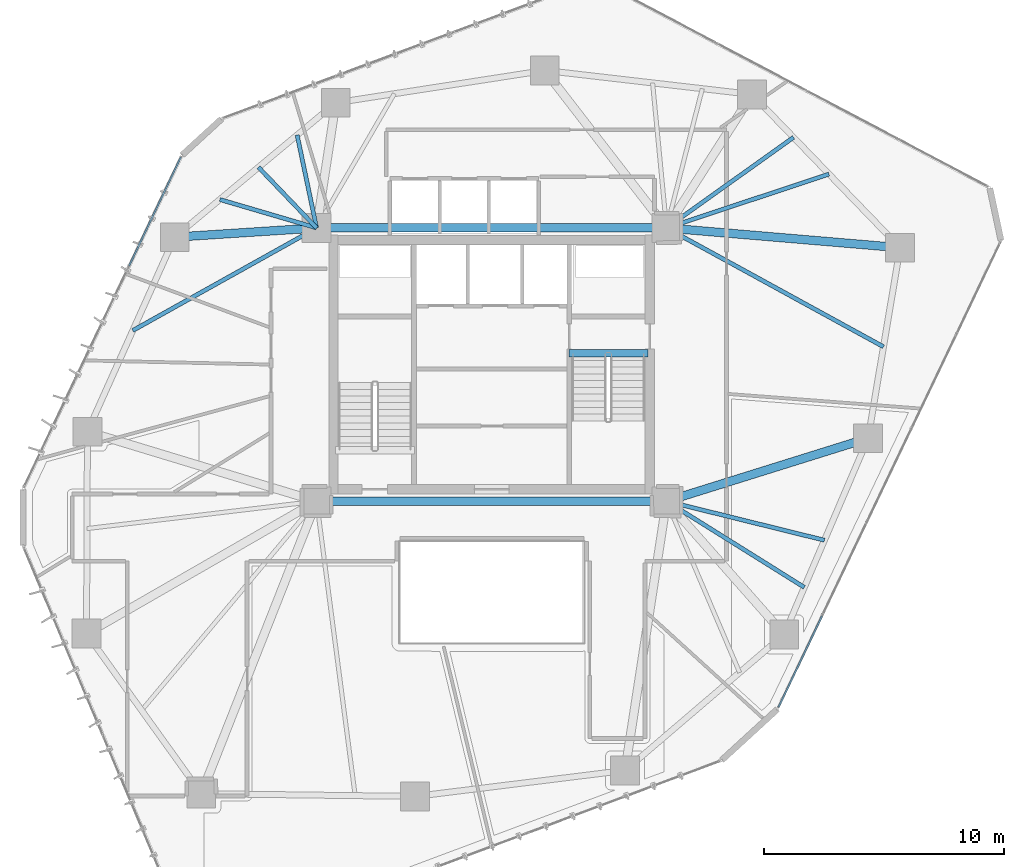
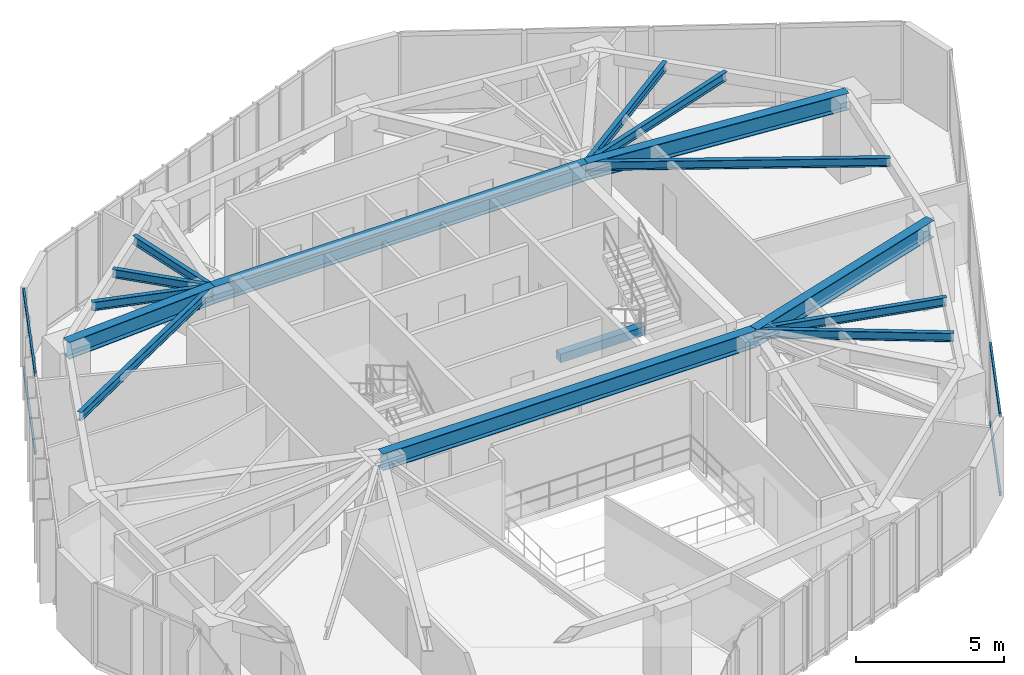
# One storey, part 9 of 22: 15 beams, 4 members, 2 elements without a shape of their own.
"""IFC4 building model written with IfcOpenShell, lengths in metres."""

import ifcopenshell
import ifcopenshell.guid

model = None  # the IFC model being written
_history = None  # IfcOwnerHistory: only IFC2X3 demands one
_inside = {}  # id of a spatial element -> (the spatial element, [elements in it])
_under = {}  # id of a project, library or spatial element -> (it, [spatial elements below it])
_declared = {}  # id of a project -> (the project, [libraries it declares])
_typed = {}  # id of a type object -> (the type object, [elements of that type])
_made_of = {}  # id of a material, layer set ... -> (it, [elements and type objects made of it])


def new_model(schema):
    """Start an empty IFC model of exactly this schema.

    Asked for "IFC4X3", IfcOpenShell would pick the latest addendum, in which some entities
    have other attributes; the version numbers below select the first issue.
    IFC2X3 requires an IfcOwnerHistory on every rooted entity: one is made here for all.
    """
    global model, _history
    if schema == "IFC4X3":
        model = ifcopenshell.file(schema_version=(4, 3, 0, 0))
    else:
        model = ifcopenshell.file(schema=schema)
    _inside.clear()
    _under.clear()
    _declared.clear()
    _typed.clear()
    _made_of.clear()
    _history = None
    if model.schema == "IFC2X3":
        org = make("IfcOrganization", Name="unknown")
        user = make(
            "IfcPersonAndOrganization",
            ThePerson=make("IfcPerson", FamilyName="unknown"),
            TheOrganization=org,
        )
        app = make(
            "IfcApplication",
            ApplicationDeveloper=org,
            Version="unknown",
            ApplicationFullName="unknown",
            ApplicationIdentifier="unknown",
        )
        _history = make(
            "IfcOwnerHistory",
            OwningUser=user,
            OwningApplication=app,
            ChangeAction="ADDED",
            CreationDate=0,
        )
    return model


def make(cls, **values):
    """One entity of the class cls with the attributes given. An attribute that is None is left unset."""
    return model.create_entity(
        cls, **{name: value for name, value in values.items() if value is not None}
    )


def rooted(cls, **values):
    """An entity with a GlobalId (a new one), such as an element, a storey or a relation."""
    return make(cls, GlobalId=ifcopenshell.guid.new(), OwnerHistory=_history, **values)


def si_unit(unit_type, name, prefix=None):
    """IfcSIUnit, for example si_unit("LENGTHUNIT", "METRE", prefix="MILLI")."""
    return make("IfcSIUnit", UnitType=unit_type, Prefix=prefix, Name=name)


def assignment(units):
    """IfcUnitAssignment: the units of a project."""
    return None if units is None else make("IfcUnitAssignment", Units=units)


def point(xyz):
    """IfcCartesianPoint."""
    return None if xyz is None else make("IfcCartesianPoint", Coordinates=xyz)


def direction(xyz):
    """IfcDirection."""
    return None if xyz is None else make("IfcDirection", DirectionRatios=xyz)


def frame(location, z_axis=None, x_axis=None):
    """IfcAxis2Placement3D, a coordinate frame: its origin and axes. An axis left out is left unset."""
    return make(
        "IfcAxis2Placement3D",
        Location=point(location),
        Axis=direction(z_axis),
        RefDirection=direction(x_axis),
    )


def frame_2d(location, x_axis=None):
    """IfcAxis2Placement2D, a coordinate frame in the plane: its origin and x axis."""
    return make(
        "IfcAxis2Placement2D", Location=point(location), RefDirection=direction(x_axis)
    )


def origin():
    """The frame at (0, 0, 0) with its axes left unset."""
    return frame((0.0, 0.0, 0.0))


def origin_2d():
    """The frame at (0, 0) in the plane with its x axis left unset."""
    return frame_2d((0.0, 0.0))


def place(relative_to, where):
    """IfcLocalPlacement: puts the frame where relative to a parent placement (None: the world)."""
    return make(
        "IfcLocalPlacement", PlacementRelTo=relative_to, RelativePlacement=where
    )


def context(
    kind, dimensions, precision=None, world=None, true_north=None, identifier=None
):
    """IfcGeometricRepresentationContext, for example the 3D "Model" context."""
    return make(
        "IfcGeometricRepresentationContext",
        ContextIdentifier=identifier,
        ContextType=kind,
        CoordinateSpaceDimension=dimensions,
        Precision=precision,
        WorldCoordinateSystem=world,
        TrueNorth=true_north,
    )


def subcontext(parent, identifier, kind, view, scale=None):
    """IfcGeometricRepresentationSubContext, for example "Body" below "Model"."""
    return make(
        "IfcGeometricRepresentationSubContext",
        ContextIdentifier=identifier,
        ContextType=kind,
        ParentContext=parent,
        TargetScale=scale,
        TargetView=view,
    )


def project(units=None, contexts=None):
    """IfcProject with its units and contexts."""
    return rooted(
        "IfcProject",
        Name="project",
        RepresentationContexts=contexts,
        UnitsInContext=assignment(units),
    )


def spatial(cls, under=None, at=None, **own):
    """A site, building, storey or space (cls), placed at a placement, below another one or the project."""
    s = rooted(cls, ObjectPlacement=at, **own)
    if under is not None:
        _under.setdefault(under.id(), (under, []))[1].append(s)
    return s


def profile(cls, at=None, kind="AREA", **sizes):
    """A parametric profile (cls). Its sizes go by their IFC names, for example OverallWidth=200.0."""
    return make(cls, ProfileType=kind, Position=at, **sizes)


def rectangle(**sizes):
    """IfcRectangleProfileDef."""
    return profile("IfcRectangleProfileDef", **sizes)


def hollow_rectangle(**sizes):
    """IfcRectangleHollowProfileDef."""
    return profile("IfcRectangleHollowProfileDef", **sizes)


def i_section(**sizes):
    """IfcIShapeProfileDef."""
    return profile("IfcIShapeProfileDef", **sizes)


def extrude(swept, where, along, depth):
    """IfcExtrudedAreaSolid: the profile swept, set in the frame where, extruded along a direction by depth."""
    return make(
        "IfcExtrudedAreaSolid",
        SweptArea=swept,
        Position=where,
        ExtrudedDirection=direction(along),
        Depth=depth,
    )


def shape(context_of_items, identifier, shape_type, items):
    """IfcShapeRepresentation: the items that make up one representation, for example the "Body"."""
    return make(
        "IfcShapeRepresentation",
        ContextOfItems=context_of_items,
        RepresentationIdentifier=identifier,
        RepresentationType=shape_type,
        Items=items,
    )


def source(mapping_origin, context_of_items, identifier, shape_type, items):
    """IfcRepresentationMap: a shape defined once, which mapped items show again and again."""
    return make(
        "IfcRepresentationMap",
        MappingOrigin=mapping_origin,
        MappedRepresentation=shape(context_of_items, identifier, shape_type, items),
    )


def transform(
    local_origin,
    x_axis=None,
    y_axis=None,
    z_axis=None,
    scale=None,
    scale2=None,
    scale3=None,
    uniform=True,
):
    """IfcCartesianTransformationOperator3D, or its non-uniform kind. x_axis, y_axis, z_axis: its Axis1, 2, 3."""
    if uniform:
        return make(
            "IfcCartesianTransformationOperator3D",
            Axis1=direction(x_axis),
            Axis2=direction(y_axis),
            LocalOrigin=point(local_origin),
            Scale=scale,
            Axis3=direction(z_axis),
        )
    return make(
        "IfcCartesianTransformationOperator3DnonUniform",
        Axis1=direction(x_axis),
        Axis2=direction(y_axis),
        LocalOrigin=point(local_origin),
        Scale=scale,
        Axis3=direction(z_axis),
        Scale2=scale2,
        Scale3=scale3,
    )


def mapped(mapping_source, mapping_target):
    """IfcMappedItem: shows the shape of a source again, moved by a transform."""
    return make(
        "IfcMappedItem", MappingSource=mapping_source, MappingTarget=mapping_target
    )


def material(Name=None, Category=None):
    """IfcMaterial."""
    return make("IfcMaterial", Name=Name, Category=Category)


def layer(
    of_material, thickness, ventilated=None, Name=None, Category=None, Priority=None
):
    """IfcMaterialLayer: one layer of a wall or slab, of a material (None: an air gap)."""
    return make(
        "IfcMaterialLayer",
        Material=of_material,
        LayerThickness=thickness,
        IsVentilated=ventilated,
        Name=Name,
        Category=Category,
        Priority=Priority,
    )


def layer_set(layers, Name=None):
    """IfcMaterialLayerSet."""
    return make("IfcMaterialLayerSet", MaterialLayers=layers, LayerSetName=Name)


def material_profile(
    of_material, cross_section, Name=None, Category=None, Priority=None
):
    """IfcMaterialProfile: a cross section and its material."""
    return make(
        "IfcMaterialProfile",
        Name=Name,
        Material=of_material,
        Profile=cross_section,
        Priority=Priority,
        Category=Category,
    )


def profile_set(profiles, Name=None, composite=None):
    """IfcMaterialProfileSet."""
    return make(
        "IfcMaterialProfileSet",
        Name=Name,
        MaterialProfiles=profiles,
        CompositeProfile=composite,
    )


def made_of(thing, what):
    """Note that an element or type object is made of a material, layer set ...; save() writes the relation."""
    if what is not None:
        _made_of.setdefault(what.id(), (what, []))[1].append(thing)
    return thing


def type_object(cls, material=None, **own):
    """A type object (cls), such as IfcWallType, which elements share."""
    return made_of(rooted(cls, **own), material)


def type_shapes(of_type, sources):
    """Give a type object the sources (RepresentationMaps) that its elements show as mapped items."""
    of_type.RepresentationMaps = sources


def element(
    cls,
    number,
    at=None,
    inside=None,
    cuts=None,
    type_object=None,
    material=None,
    context=None,
    identifier="Body",
    shape_type=None,
    held_by="IfcProductDefinitionShape",
    body=None,
    shapes=None,
    **own,
):
    """One element of the class cls, such as IfcWall. Its Tag is "e" and its number.

    at: its placement. inside: the storey or other place that contains it. cuts: it is an
    opening in that element (IfcRelVoidsElement). A single representation is given by context,
    identifier, shape_type and body (its items); several are given by shapes. held_by: the class
    of the entity that holds the representations. save() writes the other relations.
    """
    e = rooted(cls, Tag="e%d" % number, ObjectPlacement=at, **own)
    if body is not None:
        shapes = [shape(context, identifier, shape_type, body)]
    if shapes is not None:
        e.Representation = make(held_by, Representations=shapes)
    if inside is not None:
        _inside.setdefault(inside.id(), (inside, []))[1].append(e)
    if cuts is not None:
        rooted(
            "IfcRelVoidsElement", RelatingBuildingElement=cuts, RelatedOpeningElement=e
        )
    if type_object is not None:
        _typed.setdefault(type_object.id(), (type_object, []))[1].append(e)
    return made_of(e, material)


def aggregate(whole, parts):
    """IfcRelAggregates: a whole, such as a stair, and the parts it consists of."""
    return rooted("IfcRelAggregates", RelatingObject=whole, RelatedObjects=parts)


def save(model, path):
    """Write the relations noted so far, then the file.

    IfcRelAggregates (storeys below a building ...), IfcRelContainedInSpatialStructure (elements
    in a storey), IfcRelDefinesByType, IfcRelAssociatesMaterial and IfcRelDeclares: one each for
    every whole, place, type object, material and project.
    """
    for whole, parts in _under.values():
        aggregate(whole, parts)
    for where, things in _inside.values():
        rooted(
            "IfcRelContainedInSpatialStructure",
            RelatedElements=things,
            RelatingStructure=where,
        )
    for kind, things in _typed.values():
        rooted("IfcRelDefinesByType", RelatedObjects=things, RelatingType=kind)
    for what, things in _made_of.values():
        rooted("IfcRelAssociatesMaterial", RelatedObjects=things, RelatingMaterial=what)
    for by, libraries in _declared.values():
        rooted("IfcRelDeclares", RelatingContext=by, RelatedDefinitions=libraries)
    model.write(path)


model = new_model("IFC4")

# Units and contexts
model_context = context("Model", 3, precision=1e-05, world=origin(), true_north=direction((0.0, 1.0)))
body_context = subcontext(model_context, "Body", "Model", "MODEL_VIEW")
ifc_project = project(units=[si_unit("LENGTHUNIT", "METRE"), si_unit("AREAUNIT", "SQUARE_METRE"), si_unit("VOLUMEUNIT", "CUBIC_METRE"), si_unit("PLANEANGLEUNIT", "RADIAN"), si_unit("MASSUNIT", "GRAM", prefix="KILO")], contexts=[model_context])

# Site, building, storey
site_placement = place(None, origin())
site = spatial("IfcSite", under=ifc_project, at=site_placement, CompositionType="ELEMENT")
building_placement = place(site_placement, origin())
building = spatial("IfcBuilding", under=site, at=building_placement, Name="Talar Marvaseh", CompositionType="ELEMENT")
storey_placement = place(building_placement, frame((0.0, 0.0, 150.60009765625)))
storey = spatial("IfcBuildingStorey", under=building, at=storey_placement, Name="L39", CompositionType="ELEMENT", Elevation=150.60009765625)

# Beams
ifc_material_1 = material(Name="Concrete C40/50", Category="concrete")
ifc_material_profile_1 = material_profile(ifc_material_1, rectangle(XDim=0.300048828125, YDim=0.360107421875, at=origin_2d()), Name="RC300x360")
ifc_profile_set_1 = profile_set([ifc_material_profile_1], Name="Concrete C40/50")
beam_type_1 = type_object("IfcBeamType", Name="Concrete Stair Landing Trimmer Beam RC300x360", PredefinedType="SPANDREL", material=ifc_profile_set_1)
beam_1_placement = place(storey_placement, frame((29.219970703125, 31.669921875, -0.18017578125), z_axis=(1.0, 0.0, 0.0), x_axis=(0.0, 1.0, 0.0)))
element("IfcBeam", 1, at=beam_1_placement, inside=storey, type_object=beam_type_1, Name="L39 ST-2 Stair Nosing Trimmer Beam", PredefinedType="SPANDREL", context=body_context, shape_type="SweptSolid", body=[
    extrude(rectangle(XDim=0.300048828125, YDim=0.360107421875, at=origin_2d()), origin(), (0.0, 0.0, 1.0), 3.300048828125),
])
ifc_material_2 = material(Name="Steel S355", Category="steel")
ifc_material_profile_2 = material_profile(ifc_material_2, i_section(OverallWidth=0.35498046875, OverallDepth=0.695068359375, WebThickness=0.015380859375, FlangeThickness=0.02490234375, at=origin_2d()), Name="W690x217")
ifc_profile_set_2 = profile_set([ifc_material_profile_2], Name="Steel S355")
beam_type_2 = type_object("IfcBeamType", Name="Zone 2 Radial Floor Girder W690x217", PredefinedType="BEAM", material=ifc_profile_set_2)
for number, where, z_axis, x_axis, name in (
    (2, (18.699951171875, 25.5, 2.96240234375), (1.0, 0.0, 0.0), (0.0, 1.0, 0.0), "L39 Zone 2 Radial Floor Girder W690x217"),
    (3, (18.699951171875, 36.89990234375, 2.96240234375), (1.0, 0.0, 0.0), (0.0, 1.0, 0.0), "L39 Zone 2 Radial Floor Girder W690x217"),
):
    element("IfcBeam", number, at=place(storey_placement, frame(where, z_axis=z_axis, x_axis=x_axis)), inside=storey, type_object=beam_type_2, Name=name, PredefinedType="BEAM", context=body_context, shape_type="SweptSolid", body=[
        extrude(i_section(OverallWidth=0.35498046875, OverallDepth=0.695068359375, WebThickness=0.015380859375, FlangeThickness=0.02490234375, at=origin_2d()), origin(), (0.0, 0.0, 1.0), 14.60009765625),
    ])
beam_2_placement = place(storey_placement, frame((43.0439453125, 36.075927734375, 2.96240234375), z_axis=(-0.996443598923, 0.084262412527, 0.0), x_axis=(-0.084262412527, -0.996443598923, 0.0)))
element("IfcBeam", 4, at=beam_2_placement, inside=storey, type_object=beam_type_2, Name="L39 Zone 2 Radial Floor Girder W690x217", PredefinedType="BEAM", context=body_context, shape_type="SweptSolid", body=[
    extrude(i_section(OverallWidth=0.35498046875, OverallDepth=0.695068359375, WebThickness=0.015380859375, FlangeThickness=0.02490234375, at=origin_2d()), origin(), (0.0, 0.0, 1.0), 9.778564453125),
])
beam_3_placement = place(storey_placement, frame((41.708984375, 28.1279296875, 2.96240234375), z_axis=(-0.954475540106, -0.298289194138, 0.0), x_axis=(0.298289194138, -0.954475540106, 0.0)))
element("IfcBeam", 5, at=beam_3_placement, inside=storey, type_object=beam_type_2, Name="L39 Zone 2 Radial Floor Girder W690x217", PredefinedType="BEAM", context=body_context, shape_type="SweptSolid", body=[
    extrude(i_section(OverallWidth=0.35498046875, OverallDepth=0.695068359375, WebThickness=0.015380859375, FlangeThickness=0.02490234375, at=origin_2d()), origin(), (0.0, 0.0, 1.0), 8.81005859375),
])
beam_4_placement = place(storey_placement, frame((12.780029296875, 36.51708984375, 2.96240234375), z_axis=(0.997915745008, 0.064530348407, 0.0), x_axis=(-0.064530348407, 0.997915745008, 0.0)))
element("IfcBeam", 6, at=beam_4_placement, inside=storey, type_object=beam_type_2, Name="L39 Zone 2 Radial Floor Girder W690x217", PredefinedType="BEAM", context=body_context, shape_type="SweptSolid", body=[
    extrude(i_section(OverallWidth=0.35498046875, OverallDepth=0.695068359375, WebThickness=0.015380859375, FlangeThickness=0.02490234375, at=origin_2d()), origin(), (0.0, 0.0, 1.0), 5.932373046875),
])
ifc_material_profile_3 = material_profile(ifc_material_2, i_section(OverallWidth=0.172119140625, OverallDepth=0.35791015625, WebThickness=0.0078125, FlangeThickness=0.01318359375, at=origin_2d()), Name="W360x57")
ifc_profile_set_3 = profile_set([ifc_material_profile_3], Name="Steel S355")
beam_type_3 = type_object("IfcBeamType", Name="Zone 2 Secondary Floor Joist W360x57", PredefinedType="JOIST", material=ifc_profile_set_3)
beam_5_placement = place(storey_placement, frame((38.595703125, 40.680419921875, 3.130859375), z_axis=(-0.813885558782, -0.581025212195, 0.0), x_axis=(0.581025212195, -0.813885558782, 0.0)))
element("IfcBeam", 7, at=beam_5_placement, inside=storey, type_object=beam_type_3, Name="L39 Zone 2 Secondary Floor Joist W360x57", PredefinedType="JOIST", context=body_context, shape_type="SweptSolid", body=[
    extrude(i_section(OverallWidth=0.172119140625, OverallDepth=0.35791015625, WebThickness=0.0078125, FlangeThickness=0.01318359375, at=origin_2d()), origin(), (0.0, 0.0, 1.0), 6.506591796875),
])
beam_6_placement = place(storey_placement, frame((40.07861328125, 39.1455078125, 3.130859375), z_axis=(-0.949266314022, -0.314473313754, 0.0), x_axis=(0.314473313754, -0.949266314022, 0.0)))
element("IfcBeam", 8, at=beam_6_placement, inside=storey, type_object=beam_type_3, Name="L39 Zone 2 Secondary Floor Joist W360x57", PredefinedType="JOIST", context=body_context, shape_type="SweptSolid", body=[
    extrude(i_section(OverallWidth=0.172119140625, OverallDepth=0.35791015625, WebThickness=0.0078125, FlangeThickness=0.01318359375, at=origin_2d()), origin(), (0.0, 0.0, 1.0), 7.140869140625),
])
beam_7_placement = place(storey_placement, frame((42.349853515625, 31.943115234375, 3.130859375), z_axis=(-0.877057817553, 0.480384829766, 0.0), x_axis=(-0.480384829766, -0.877057817553, 0.0)))
element("IfcBeam", 9, at=beam_7_placement, inside=storey, type_object=beam_type_3, Name="L39 Zone 2 Secondary Floor Joist W360x57", PredefinedType="JOIST", context=body_context, shape_type="SweptSolid", body=[
    extrude(i_section(OverallWidth=0.172119140625, OverallDepth=0.35791015625, WebThickness=0.0078125, FlangeThickness=0.01318359375, at=origin_2d()), origin(), (0.0, 0.0, 1.0), 10.318359375),
])
beam_8_placement = place(storey_placement, frame((39.887451171875, 23.870849609375, 3.130859375), z_axis=(-0.970753133019, 0.240079892396, 0.0), x_axis=(-0.240079892396, -0.970753133019, 0.0)))
element("IfcBeam", 10, at=beam_8_placement, inside=storey, type_object=beam_type_3, Name="L39 Zone 2 Secondary Floor Joist W360x57", PredefinedType="JOIST", context=body_context, shape_type="SweptSolid", body=[
    extrude(i_section(OverallWidth=0.172119140625, OverallDepth=0.35791015625, WebThickness=0.0078125, FlangeThickness=0.01318359375, at=origin_2d()), origin(), (0.0, 0.0, 1.0), 6.785888671875),
])
beam_9_placement = place(storey_placement, frame((39.046630859375, 21.906005859375, 3.130859375), z_axis=(-0.84784042564, 0.530251461715, 0.0), x_axis=(-0.530251461715, -0.84784042564, 0.0)))
element("IfcBeam", 11, at=beam_9_placement, inside=storey, type_object=beam_type_3, Name="L39 Zone 2 Secondary Floor Joist W360x57", PredefinedType="JOIST", context=body_context, shape_type="SweptSolid", body=[
    extrude(i_section(OverallWidth=0.172119140625, OverallDepth=0.35791015625, WebThickness=0.0078125, FlangeThickness=0.01318359375, at=origin_2d()), origin(), (0.0, 0.0, 1.0), 6.77783203125),
])
beam_10_placement = place(storey_placement, frame((11.03173828125, 32.621826171875, 3.130859375), z_axis=(0.873287668061, 0.487204935128, 0.0), x_axis=(-0.487204935128, 0.873287668061, 0.0)))
element("IfcBeam", 12, at=beam_10_placement, inside=storey, type_object=beam_type_3, Name="L39 Zone 2 Secondary Floor Joist W360x57", PredefinedType="JOIST", context=body_context, shape_type="SweptSolid", body=[
    extrude(i_section(OverallWidth=0.172119140625, OverallDepth=0.35791015625, WebThickness=0.0078125, FlangeThickness=0.01318359375, at=origin_2d()), origin(), (0.0, 0.0, 1.0), 8.78076171875),
])
beam_11_placement = place(storey_placement, frame((14.661865234375, 38.086669921875, 3.130859375), z_axis=(0.959423672171, -0.281968468587, 0.0), x_axis=(0.281968468587, 0.959423672171, 0.0)))
element("IfcBeam", 13, at=beam_11_placement, inside=storey, type_object=beam_type_3, Name="L39 Zone 2 Secondary Floor Joist W360x57", PredefinedType="JOIST", context=body_context, shape_type="SweptSolid", body=[
    extrude(i_section(OverallWidth=0.172119140625, OverallDepth=0.35791015625, WebThickness=0.0078125, FlangeThickness=0.01318359375, at=origin_2d()), origin(), (0.0, 0.0, 1.0), 4.208984375),
])
beam_12_placement = place(storey_placement, frame((16.27490234375, 39.43212890625, 3.130859375), z_axis=(0.691657292908, -0.722225857449, 0.0), x_axis=(0.722225857449, 0.691657292908, 0.0)))
element("IfcBeam", 14, at=beam_12_placement, inside=storey, type_object=beam_type_3, Name="L39 Zone 2 Secondary Floor Joist W360x57", PredefinedType="JOIST", context=body_context, shape_type="SweptSolid", body=[
    extrude(i_section(OverallWidth=0.172119140625, OverallDepth=0.35791015625, WebThickness=0.0078125, FlangeThickness=0.01318359375, at=origin_2d()), origin(), (0.0, 0.0, 1.0), 3.506103515625),
])
beam_13_placement = place(storey_placement, frame((17.887939453125, 40.777587890625, 3.130859375), z_axis=(0.204960633597, -0.978770217505, 0.0), x_axis=(0.978770217505, 0.204960633597, 0.0)))
element("IfcBeam", 15, at=beam_13_placement, inside=storey, type_object=beam_type_3, Name="L39 Zone 2 Secondary Floor Joist W360x57", PredefinedType="JOIST", context=body_context, shape_type="SweptSolid", body=[
    extrude(i_section(OverallWidth=0.172119140625, OverallDepth=0.35791015625, WebThickness=0.0078125, FlangeThickness=0.01318359375, at=origin_2d()), origin(), (0.0, 0.0, 1.0), 3.9619140625),
])

# Curtain wall, members
ifc_material_3 = material(Name="Architectural Aluminium", Category="aluminium")
ifc_layer = layer(ifc_material_3, 0.199951171875)
ifc_layer_set = layer_set([ifc_layer], Name="Architectural Aluminium")
curtain_wall_type = type_object("IfcCurtainWallType", Name="Unitised Acoustic Library Curtain Wall Z2", PredefinedType="NOTDEFINED", material=ifc_layer_set)
curtain_wall_1_placement = place(storey_placement, origin())
curtain_wall_1 = element("IfcCurtainWall", 16, at=curtain_wall_1_placement, inside=storey, type_object=curtain_wall_type, Name="L39 Unitised Acoustic Library Curtain Wall Z2", PredefinedType="NOTDEFINED")
ifc_material_profile_4 = material_profile(ifc_material_3, hollow_rectangle(XDim=0.074951171875, YDim=0.179931640625, WallThickness=0.0048828125, at=origin_2d()), Name="RHS180x75x5")
ifc_profile_set_4 = profile_set([ifc_material_profile_4], Name="Architectural Aluminium")
member_type = type_object("IfcMemberType", Name="Unitised Curtain Wall Transom RHS180x75x5", PredefinedType="USERDEFINED", material=ifc_profile_set_4)
shared_shape_1 = source(origin(), body_context, "Body", "SweptSolid", [
    extrude(hollow_rectangle(XDim=0.074951171875, YDim=0.179931640625, WallThickness=0.0048828125, at=origin_2d()), origin(), (0.0, 0.0, 1.0), 5.017578125),
])
member_1_placement = place(storey_placement, frame((10.880615234375, 35.3193359375, 0.037353515625), z_axis=(0.429453777136, 0.903088840205, 0.0), x_axis=(-0.903088840205, 0.429453777136, 0.0)))
member_1 = element("IfcMember", 17, at=member_1_placement, type_object=member_type, Name="CW-Z2 transom 3.1", ObjectType="TRANSOM", PredefinedType="USERDEFINED", context=body_context, shape_type="MappedRepresentation", body=[
    mapped(shared_shape_1, transform((0.0, 0.0, 0.0), x_axis=(1.0, 0.0, 0.0), y_axis=(0.0, 1.0, 0.0), z_axis=(0.0, 0.0, 1.0), scale=1.0)),
])
member_2_placement = place(storey_placement, frame((10.880615234375, 35.3193359375, 3.2724609375), z_axis=(0.429453777136, 0.903088840205, 0.0), x_axis=(-0.903088840205, 0.429453777136, 0.0)))
member_2 = element("IfcMember", 18, at=member_2_placement, type_object=member_type, Name="CW-Z2 transom 3.2", ObjectType="TRANSOM", PredefinedType="USERDEFINED", context=body_context, shape_type="MappedRepresentation", body=[
    mapped(shared_shape_1, transform((0.0, 0.0, 0.0), x_axis=(1.0, 0.0, 0.0), y_axis=(0.0, 1.0, 0.0), z_axis=(0.0, 0.0, 1.0), scale=1.0)),
])
aggregate(curtain_wall_1, [member_1, member_2])

curtain_wall_2_placement = place(storey_placement, origin())
curtain_wall_2 = element("IfcCurtainWall", 19, at=curtain_wall_2_placement, inside=storey, type_object=curtain_wall_type, Name="L39 Unitised Acoustic Library Curtain Wall Z2", PredefinedType="NOTDEFINED")
shared_shape_2 = source(origin(), body_context, "Body", "SweptSolid", [
    extrude(hollow_rectangle(XDim=0.074951171875, YDim=0.179931640625, WallThickness=0.0048828125, at=origin_2d()), origin(), (0.0, 0.0, 1.0), 4.2109375),
])
type_shapes(member_type, [shared_shape_1, shared_shape_2])
member_3_placement = place(storey_placement, frame((39.78515625, 20.707275390625, 0.037353515625), z_axis=(-0.430649095526, -0.902519449388, 0.0), x_axis=(0.902519449388, -0.430649095526, 0.0)))
member_3 = element("IfcMember", 20, at=member_3_placement, type_object=member_type, Name="CW-Z2 transom 5.1", ObjectType="TRANSOM", PredefinedType="USERDEFINED", context=body_context, shape_type="MappedRepresentation", body=[
    mapped(shared_shape_2, transform((0.0, 0.0, 0.0), x_axis=(1.0, 0.0, 0.0), y_axis=(0.0, 1.0, 0.0), z_axis=(0.0, 0.0, 1.0), scale=1.0)),
])
member_4_placement = place(storey_placement, frame((39.78515625, 20.707275390625, 3.2724609375), z_axis=(-0.430649095526, -0.902519449388, 0.0), x_axis=(0.902519449388, -0.430649095526, 0.0)))
member_4 = element("IfcMember", 21, at=member_4_placement, type_object=member_type, Name="CW-Z2 transom 5.2", ObjectType="TRANSOM", PredefinedType="USERDEFINED", context=body_context, shape_type="MappedRepresentation", body=[
    mapped(shared_shape_2, transform((0.0, 0.0, 0.0), x_axis=(1.0, 0.0, 0.0), y_axis=(0.0, 1.0, 0.0), z_axis=(0.0, 0.0, 1.0), scale=1.0)),
])
aggregate(curtain_wall_2, [member_3, member_4])

save(model, "model.ifc")
